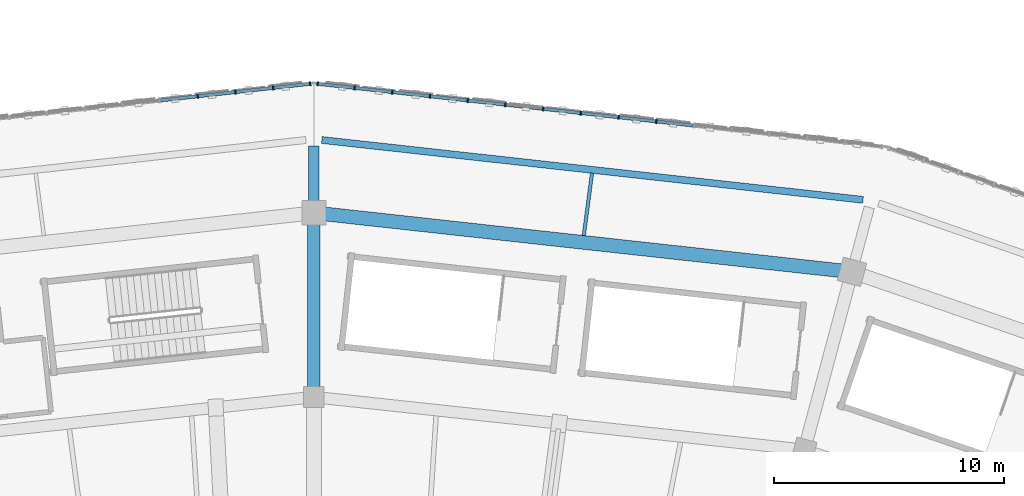
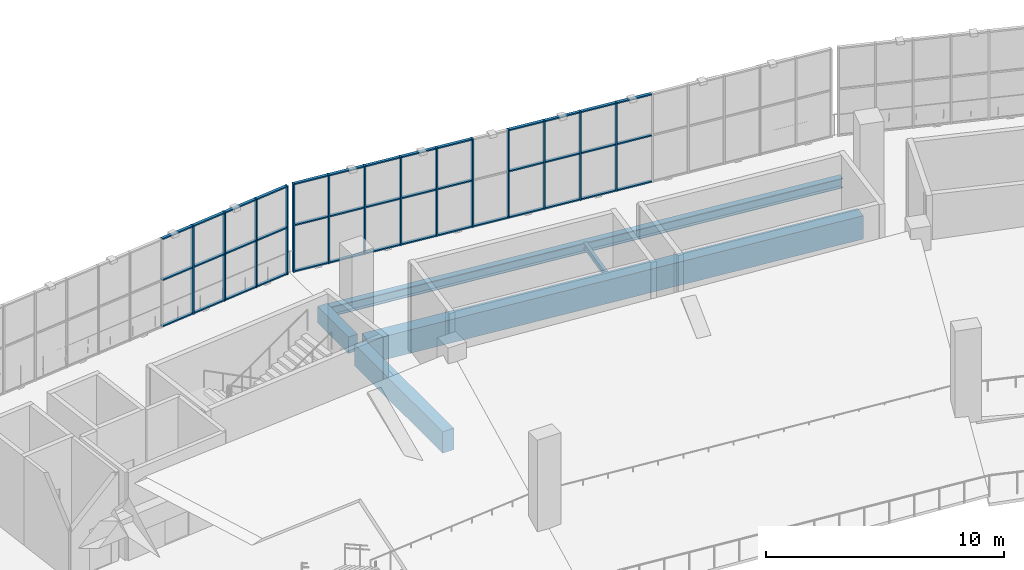
# One storey, part 58 of 152: 54 members, 5 beams, 2 elements without a shape of their own.
"""IFC4 building model written with IfcOpenShell, lengths in metres."""

from ifc_helpers import new_model, si_unit, direction, frame, origin, origin_2d, place, context, subcontext, project, spatial, rectangle, i_section, extrude, material, material_profile, profile_set, type_object, element, aggregate, save


model = new_model("IFC4")

# Units and contexts
model_context = context("Model", 3, precision=1e-05, world=origin(), true_north=direction((0.0, 1.0)))
body_context = subcontext(model_context, "Body", "Model", "MODEL_VIEW")
ifc_project = project(units=[si_unit("LENGTHUNIT", "METRE"), si_unit("AREAUNIT", "SQUARE_METRE"), si_unit("VOLUMEUNIT", "CUBIC_METRE"), si_unit("PLANEANGLEUNIT", "RADIAN"), si_unit("MASSUNIT", "GRAM", prefix="KILO")], contexts=[model_context])

# Site, building, storey
site_placement = place(None, origin())
site = spatial("IfcSite", under=ifc_project, at=site_placement, CompositionType="ELEMENT")
building_placement = place(site_placement, origin())
building = spatial("IfcBuilding", under=site, at=building_placement, Name="Zevraka Park Crest Stadium", CompositionType="ELEMENT")
storey_placement = place(building_placement, frame((0.0, 0.0, 15.0)))
storey = spatial("IfcBuildingStorey", under=building, at=storey_placement, Name="L03", CompositionType="ELEMENT", Elevation=15.0)

# Beams
ifc_material_1 = material(Name="Concrete C40/50", Category="concrete")
ifc_material_profile_1 = material_profile(ifc_material_1, rectangle(XDim=0.550048828125, YDim=1.10009765625, at=origin_2d()), Name="RC 1100x550")
ifc_profile_set_1 = profile_set([ifc_material_profile_1], Name="Concrete C40/50")
beam_type_1 = type_object("IfcBeamType", Name="BG02", PredefinedType="BEAM", material=ifc_profile_set_1)
beam_1_placement = place(storey_placement, frame((112.0, 159.60009765625, -0.56005859375), z_axis=(0.0, 1.0, 0.0), x_axis=(-1.0, 0.0, 0.0)))
element("IfcBeam", 1, at=beam_1_placement, inside=storey, type_object=beam_type_1, Name="Radial Girder BG02 L03-CD-06", PredefinedType="BEAM", context=body_context, shape_type="SweptSolid", body=[
    extrude(rectangle(XDim=0.550048828125, YDim=1.10009765625, at=origin_2d()), origin(), (0.0, 0.0, 1.0), 7.39990234375),
])
ifc_material_2 = material(Name="Concrete C40/50", Category="concrete")
ifc_material_profile_2 = material_profile(ifc_material_2, rectangle(XDim=0.449951171875, YDim=0.85009765625, at=origin_2d()), Name="RC 850x450")
ifc_profile_set_2 = profile_set([ifc_material_profile_2], Name="Concrete C40/50")
beam_type_2 = type_object("IfcBeamType", Name="BG03", PredefinedType="BEAM", material=ifc_profile_set_2)
beam_2_placement = place(storey_placement, frame((112.0, 167.60009765625, -0.43505859375), z_axis=(0.0, 1.0, 0.0), x_axis=(-1.0, 0.0, 0.0)))
element("IfcBeam", 2, at=beam_2_placement, inside=storey, type_object=beam_type_2, Name="Radial Girder BG03 L03-DE-06", PredefinedType="BEAM", context=body_context, shape_type="SweptSolid", body=[
    extrude(rectangle(XDim=0.449951171875, YDim=0.85009765625, at=origin_2d()), origin(), (0.0, 0.0, 1.0), 2.599853515625),
])

# Curtain wall, members
ifc_material_3 = material(Name="Anodised architectural aluminium and laminated safety glass", Category="aluminium")
curtain_wall_type = type_object("IfcCurtainWallType", Name="CW11", PredefinedType="NOTDEFINED", material=ifc_material_3)
curtain_wall_1_placement = place(storey_placement, origin())
curtain_wall_1 = element("IfcCurtainWall", 3, at=curtain_wall_1_placement, inside=storey, type_object=curtain_wall_type, Name="Unitised Ring Curtain Wall CW11 L03-05", PredefinedType="NOTDEFINED")
ifc_material_4 = material(Name="Anodised architectural aluminium", Category="aluminium")
ifc_material_profile_3 = material_profile(ifc_material_4, rectangle(XDim=0.179931640625, YDim=0.06494140625, at=origin_2d()), Name="ALU MULLION 180x65")
ifc_profile_set_3 = profile_set([ifc_material_profile_3], Name="Anodised architectural aluminium")
member_type_1 = type_object("IfcMemberType", Name="CM02", PredefinedType="MULLION", material=ifc_profile_set_3)
member_1_placement = place(storey_placement, frame((126.871337890625, 171.267578125, 0.0), z_axis=(0.0, 0.0, 1.0), x_axis=(-0.110396006373, -0.993887680665, 0.0)))
member_1 = element("IfcMember", 4, at=member_1_placement, type_object=member_type_1, Name="CW11 mullion 7", PredefinedType="MULLION", context=body_context, shape_type="SweptSolid", body=[
    extrude(rectangle(XDim=0.179931640625, YDim=0.06494140625, at=origin_2d()), origin(), (0.0, 0.0, 1.0), 4.5400390625),
])
member_2_placement = place(storey_placement, frame((125.2333984375, 171.449462890625, 0.0), z_axis=(0.0, 0.0, 1.0), x_axis=(-0.110396006373, -0.993887680665, 0.0)))
member_2 = element("IfcMember", 5, at=member_2_placement, type_object=member_type_1, Name="CW11 mullion 8", PredefinedType="MULLION", context=body_context, shape_type="SweptSolid", body=[
    extrude(rectangle(XDim=0.179931640625, YDim=0.06494140625, at=origin_2d()), origin(), (0.0, 0.0, 1.0), 4.5400390625),
])
member_3_placement = place(storey_placement, frame((123.595458984375, 171.63134765625, 0.0), z_axis=(0.0, 0.0, 1.0), x_axis=(-0.110396006373, -0.993887680665, 0.0)))
member_3 = element("IfcMember", 6, at=member_3_placement, type_object=member_type_1, Name="CW11 mullion 9", PredefinedType="MULLION", context=body_context, shape_type="SweptSolid", body=[
    extrude(rectangle(XDim=0.179931640625, YDim=0.06494140625, at=origin_2d()), origin(), (0.0, 0.0, 1.0), 4.5400390625),
])
member_4_placement = place(storey_placement, frame((121.95751953125, 171.8134765625, 0.0), z_axis=(0.0, 0.0, 1.0), x_axis=(-0.110396006373, -0.993887680665, 0.0)))
member_4 = element("IfcMember", 7, at=member_4_placement, type_object=member_type_1, Name="CW11 mullion 10", PredefinedType="MULLION", context=body_context, shape_type="SweptSolid", body=[
    extrude(rectangle(XDim=0.179931640625, YDim=0.06494140625, at=origin_2d()), origin(), (0.0, 0.0, 1.0), 4.5400390625),
])
member_5_placement = place(storey_placement, frame((120.319580078125, 171.995361328125, 0.0), z_axis=(0.0, 0.0, 1.0), x_axis=(-0.110396006373, -0.993887680665, 0.0)))
member_5 = element("IfcMember", 8, at=member_5_placement, type_object=member_type_1, Name="CW11 mullion 11", PredefinedType="MULLION", context=body_context, shape_type="SweptSolid", body=[
    extrude(rectangle(XDim=0.179931640625, YDim=0.06494140625, at=origin_2d()), origin(), (0.0, 0.0, 1.0), 4.5400390625),
])
member_6_placement = place(storey_placement, frame((118.681640625, 172.17724609375, 0.0), z_axis=(0.0, 0.0, 1.0), x_axis=(-0.110396006373, -0.993887680665, 0.0)))
member_6 = element("IfcMember", 9, at=member_6_placement, type_object=member_type_1, Name="CW11 mullion 12", PredefinedType="MULLION", context=body_context, shape_type="SweptSolid", body=[
    extrude(rectangle(XDim=0.179931640625, YDim=0.06494140625, at=origin_2d()), origin(), (0.0, 0.0, 1.0), 4.5400390625),
])
member_7_placement = place(storey_placement, frame((117.043701171875, 172.359130859375, 0.0), z_axis=(0.0, 0.0, 1.0), x_axis=(-0.110396006373, -0.993887680665, 0.0)))
member_7 = element("IfcMember", 10, at=member_7_placement, type_object=member_type_1, Name="CW11 mullion 13", PredefinedType="MULLION", context=body_context, shape_type="SweptSolid", body=[
    extrude(rectangle(XDim=0.179931640625, YDim=0.06494140625, at=origin_2d()), origin(), (0.0, 0.0, 1.0), 4.5400390625),
])
member_8_placement = place(storey_placement, frame((115.40576171875, 172.541015625, 0.0), z_axis=(0.0, 0.0, 1.0), x_axis=(-0.110396006373, -0.993887680665, 0.0)))
member_8 = element("IfcMember", 11, at=member_8_placement, type_object=member_type_1, Name="CW11 mullion 14", PredefinedType="MULLION", context=body_context, shape_type="SweptSolid", body=[
    extrude(rectangle(XDim=0.179931640625, YDim=0.06494140625, at=origin_2d()), origin(), (0.0, 0.0, 1.0), 4.5400390625),
])
member_9_placement = place(storey_placement, frame((113.767822265625, 172.72314453125, 0.0), z_axis=(0.0, 0.0, 1.0), x_axis=(-0.110396006373, -0.993887680665, 0.0)))
member_9 = element("IfcMember", 12, at=member_9_placement, type_object=member_type_1, Name="CW11 mullion 15", PredefinedType="MULLION", context=body_context, shape_type="SweptSolid", body=[
    extrude(rectangle(XDim=0.179931640625, YDim=0.06494140625, at=origin_2d()), origin(), (0.0, 0.0, 1.0), 4.5400390625),
])
member_10_placement = place(storey_placement, frame((112.162353515625, 172.9013671875, 0.0), z_axis=(0.0, 0.0, 1.0), x_axis=(-0.110396006373, -0.993887680665, 0.0)))
member_10 = element("IfcMember", 13, at=member_10_placement, type_object=member_type_1, Name="CW11 mullion 16", PredefinedType="MULLION", context=body_context, shape_type="SweptSolid", body=[
    extrude(rectangle(XDim=0.179931640625, YDim=0.06494140625, at=origin_2d()), origin(), (0.0, 0.0, 1.0), 4.5400390625),
])

curtain_wall_2_placement = place(storey_placement, origin())
curtain_wall_2 = element("IfcCurtainWall", 14, at=curtain_wall_2_placement, inside=storey, type_object=curtain_wall_type, Name="Unitised Ring Curtain Wall CW11 L03-06", PredefinedType="NOTDEFINED")
member_11_placement = place(storey_placement, frame((111.837646484375, 172.9013671875, 0.0), z_axis=(0.0, 0.0, 1.0), x_axis=(0.110396006373, -0.993887680665, 0.0)))
member_11 = element("IfcMember", 15, at=member_11_placement, type_object=member_type_1, Name="CW11 mullion 1", PredefinedType="MULLION", context=body_context, shape_type="SweptSolid", body=[
    extrude(rectangle(XDim=0.179931640625, YDim=0.06494140625, at=origin_2d()), origin(), (0.0, 0.0, 1.0), 4.5400390625),
])
member_12_placement = place(storey_placement, frame((110.232177734375, 172.72314453125, 0.0), z_axis=(0.0, 0.0, 1.0), x_axis=(0.110396006373, -0.993887680665, 0.0)))
member_12 = element("IfcMember", 16, at=member_12_placement, type_object=member_type_1, Name="CW11 mullion 2", PredefinedType="MULLION", context=body_context, shape_type="SweptSolid", body=[
    extrude(rectangle(XDim=0.179931640625, YDim=0.06494140625, at=origin_2d()), origin(), (0.0, 0.0, 1.0), 4.5400390625),
])
member_13_placement = place(storey_placement, frame((108.59423828125, 172.541015625, 0.0), z_axis=(0.0, 0.0, 1.0), x_axis=(0.110396006373, -0.993887680665, 0.0)))
member_13 = element("IfcMember", 17, at=member_13_placement, type_object=member_type_1, Name="CW11 mullion 3", PredefinedType="MULLION", context=body_context, shape_type="SweptSolid", body=[
    extrude(rectangle(XDim=0.179931640625, YDim=0.06494140625, at=origin_2d()), origin(), (0.0, 0.0, 1.0), 4.5400390625),
])
member_14_placement = place(storey_placement, frame((106.956298828125, 172.359130859375, 0.0), z_axis=(0.0, 0.0, 1.0), x_axis=(0.110396006373, -0.993887680665, 0.0)))
member_14 = element("IfcMember", 18, at=member_14_placement, type_object=member_type_1, Name="CW11 mullion 4", PredefinedType="MULLION", context=body_context, shape_type="SweptSolid", body=[
    extrude(rectangle(XDim=0.179931640625, YDim=0.06494140625, at=origin_2d()), origin(), (0.0, 0.0, 1.0), 4.5400390625),
])

# Member
ifc_material_5 = material(Name="Anodised architectural aluminium", Category="aluminium")
ifc_material_profile_4 = material_profile(ifc_material_5, rectangle(XDim=0.139892578125, YDim=0.06494140625, at=origin_2d()), Name="ALU TRANSOM 140x65")
ifc_profile_set_4 = profile_set([ifc_material_profile_4], Name="Anodised architectural aluminium")
member_type_2 = type_object("IfcMemberType", Name="CT02", PredefinedType="USERDEFINED", material=ifc_profile_set_4)
member_15_placement = place(storey_placement, frame((128.47705078125, 171.08935546875, 0.032470703125), z_axis=(-0.993900651403, 0.110279169111, 0.0), x_axis=(-0.110279169111, -0.993900651403, 0.0)))
member_15 = element("IfcMember", 19, at=member_15_placement, type_object=member_type_2, Name="CW11 transom 6.1", ObjectType="TRANSOM", PredefinedType="USERDEFINED", context=body_context, shape_type="SweptSolid", body=[
    extrude(rectangle(XDim=0.139892578125, YDim=0.06494140625, at=origin_2d()), origin(), (0.0, 0.0, 1.0), 1.5830078125),
])

member_16_placement = place(storey_placement, frame((128.47705078125, 171.08935546875, 2.39990234375), z_axis=(-0.993900651403, 0.110279169111, 0.0), x_axis=(-0.110279169111, -0.993900651403, 0.0)))
member_16 = element("IfcMember", 20, at=member_16_placement, type_object=member_type_2, Name="CW11 transom 6.2", ObjectType="TRANSOM", PredefinedType="USERDEFINED", context=body_context, shape_type="SweptSolid", body=[
    extrude(rectangle(XDim=0.139892578125, YDim=0.06494140625, at=origin_2d()), origin(), (0.0, 0.0, 1.0), 1.5830078125),
])

member_17_placement = place(storey_placement, frame((128.47705078125, 171.08935546875, 4.507568359375), z_axis=(-0.993900651403, 0.110279169111, 0.0), x_axis=(-0.110279169111, -0.993900651403, 0.0)))
member_17 = element("IfcMember", 21, at=member_17_placement, type_object=member_type_2, Name="CW11 transom 6.3", ObjectType="TRANSOM", PredefinedType="USERDEFINED", context=body_context, shape_type="SweptSolid", body=[
    extrude(rectangle(XDim=0.139892578125, YDim=0.06494140625, at=origin_2d()), origin(), (0.0, 0.0, 1.0), 1.5830078125),
])

member_18_placement = place(storey_placement, frame((126.839111328125, 171.271240234375, 0.032470703125), z_axis=(-0.993883734674, 0.110431526075, 0.0), x_axis=(-0.110431526075, -0.993883734674, 0.0)))
member_18 = element("IfcMember", 22, at=member_18_placement, type_object=member_type_2, Name="CW11 transom 7.1", ObjectType="TRANSOM", PredefinedType="USERDEFINED", context=body_context, shape_type="SweptSolid", body=[
    extrude(rectangle(XDim=0.139892578125, YDim=0.06494140625, at=origin_2d()), origin(), (0.0, 0.0, 1.0), 1.5830078125),
])

member_19_placement = place(storey_placement, frame((126.839111328125, 171.271240234375, 2.39990234375), z_axis=(-0.993883734674, 0.110431526075, 0.0), x_axis=(-0.110431526075, -0.993883734674, 0.0)))
member_19 = element("IfcMember", 23, at=member_19_placement, type_object=member_type_2, Name="CW11 transom 7.2", ObjectType="TRANSOM", PredefinedType="USERDEFINED", context=body_context, shape_type="SweptSolid", body=[
    extrude(rectangle(XDim=0.139892578125, YDim=0.06494140625, at=origin_2d()), origin(), (0.0, 0.0, 1.0), 1.5830078125),
])

member_20_placement = place(storey_placement, frame((126.839111328125, 171.271240234375, 4.507568359375), z_axis=(-0.993883734674, 0.110431526075, 0.0), x_axis=(-0.110431526075, -0.993883734674, 0.0)))
member_20 = element("IfcMember", 24, at=member_20_placement, type_object=member_type_2, Name="CW11 transom 7.3", ObjectType="TRANSOM", PredefinedType="USERDEFINED", context=body_context, shape_type="SweptSolid", body=[
    extrude(rectangle(XDim=0.139892578125, YDim=0.06494140625, at=origin_2d()), origin(), (0.0, 0.0, 1.0), 1.5830078125),
])

member_21_placement = place(storey_placement, frame((125.201171875, 171.453125, 0.032470703125), z_axis=(-0.993883734674, 0.110431526075, 0.0), x_axis=(-0.110431526075, -0.993883734674, 0.0)))
member_21 = element("IfcMember", 25, at=member_21_placement, type_object=member_type_2, Name="CW11 transom 8.1", ObjectType="TRANSOM", PredefinedType="USERDEFINED", context=body_context, shape_type="SweptSolid", body=[
    extrude(rectangle(XDim=0.139892578125, YDim=0.06494140625, at=origin_2d()), origin(), (0.0, 0.0, 1.0), 1.5830078125),
])

member_22_placement = place(storey_placement, frame((125.201171875, 171.453125, 2.39990234375), z_axis=(-0.993883734674, 0.110431526075, 0.0), x_axis=(-0.110431526075, -0.993883734674, 0.0)))
member_22 = element("IfcMember", 26, at=member_22_placement, type_object=member_type_2, Name="CW11 transom 8.2", ObjectType="TRANSOM", PredefinedType="USERDEFINED", context=body_context, shape_type="SweptSolid", body=[
    extrude(rectangle(XDim=0.139892578125, YDim=0.06494140625, at=origin_2d()), origin(), (0.0, 0.0, 1.0), 1.5830078125),
])

member_23_placement = place(storey_placement, frame((125.201171875, 171.453125, 4.507568359375), z_axis=(-0.993883734674, 0.110431526075, 0.0), x_axis=(-0.110431526075, -0.993883734674, 0.0)))
member_23 = element("IfcMember", 27, at=member_23_placement, type_object=member_type_2, Name="CW11 transom 8.3", ObjectType="TRANSOM", PredefinedType="USERDEFINED", context=body_context, shape_type="SweptSolid", body=[
    extrude(rectangle(XDim=0.139892578125, YDim=0.06494140625, at=origin_2d()), origin(), (0.0, 0.0, 1.0), 1.5830078125),
])

member_24_placement = place(storey_placement, frame((123.563232421875, 171.635009765625, 0.032470703125), z_axis=(-0.993883734674, 0.110431526075, 0.0), x_axis=(-0.110431526075, -0.993883734674, 0.0)))
member_24 = element("IfcMember", 28, at=member_24_placement, type_object=member_type_2, Name="CW11 transom 9.1", ObjectType="TRANSOM", PredefinedType="USERDEFINED", context=body_context, shape_type="SweptSolid", body=[
    extrude(rectangle(XDim=0.139892578125, YDim=0.06494140625, at=origin_2d()), origin(), (0.0, 0.0, 1.0), 1.5830078125),
])

member_25_placement = place(storey_placement, frame((123.563232421875, 171.635009765625, 2.39990234375), z_axis=(-0.993883734674, 0.110431526075, 0.0), x_axis=(-0.110431526075, -0.993883734674, 0.0)))
member_25 = element("IfcMember", 29, at=member_25_placement, type_object=member_type_2, Name="CW11 transom 9.2", ObjectType="TRANSOM", PredefinedType="USERDEFINED", context=body_context, shape_type="SweptSolid", body=[
    extrude(rectangle(XDim=0.139892578125, YDim=0.06494140625, at=origin_2d()), origin(), (0.0, 0.0, 1.0), 1.5830078125),
])

member_26_placement = place(storey_placement, frame((123.563232421875, 171.635009765625, 4.507568359375), z_axis=(-0.993883734674, 0.110431526075, 0.0), x_axis=(-0.110431526075, -0.993883734674, 0.0)))
member_26 = element("IfcMember", 30, at=member_26_placement, type_object=member_type_2, Name="CW11 transom 9.3", ObjectType="TRANSOM", PredefinedType="USERDEFINED", context=body_context, shape_type="SweptSolid", body=[
    extrude(rectangle(XDim=0.139892578125, YDim=0.06494140625, at=origin_2d()), origin(), (0.0, 0.0, 1.0), 1.5830078125),
])

member_27_placement = place(storey_placement, frame((121.92529296875, 171.81689453125, 0.032470703125), z_axis=(-0.993883734674, 0.110431526075, 0.0), x_axis=(-0.110431526075, -0.993883734674, 0.0)))
member_27 = element("IfcMember", 31, at=member_27_placement, type_object=member_type_2, Name="CW11 transom 10.1", ObjectType="TRANSOM", PredefinedType="USERDEFINED", context=body_context, shape_type="SweptSolid", body=[
    extrude(rectangle(XDim=0.139892578125, YDim=0.06494140625, at=origin_2d()), origin(), (0.0, 0.0, 1.0), 1.5830078125),
])

member_28_placement = place(storey_placement, frame((120.287353515625, 171.9990234375, 0.032470703125), z_axis=(-0.993900651403, 0.110279169111, 0.0), x_axis=(-0.110279169111, -0.993900651403, 0.0)))
member_28 = element("IfcMember", 32, at=member_28_placement, type_object=member_type_2, Name="CW11 transom 11.1", ObjectType="TRANSOM", PredefinedType="USERDEFINED", context=body_context, shape_type="SweptSolid", body=[
    extrude(rectangle(XDim=0.139892578125, YDim=0.06494140625, at=origin_2d()), origin(), (0.0, 0.0, 1.0), 1.5830078125),
])

member_29_placement = place(storey_placement, frame((120.287353515625, 171.9990234375, 2.39990234375), z_axis=(-0.993900651403, 0.110279169111, 0.0), x_axis=(-0.110279169111, -0.993900651403, 0.0)))
member_29 = element("IfcMember", 33, at=member_29_placement, type_object=member_type_2, Name="CW11 transom 11.2", ObjectType="TRANSOM", PredefinedType="USERDEFINED", context=body_context, shape_type="SweptSolid", body=[
    extrude(rectangle(XDim=0.139892578125, YDim=0.06494140625, at=origin_2d()), origin(), (0.0, 0.0, 1.0), 1.5830078125),
])

member_30_placement = place(storey_placement, frame((120.287353515625, 171.9990234375, 4.507568359375), z_axis=(-0.993900651403, 0.110279169111, 0.0), x_axis=(-0.110279169111, -0.993900651403, 0.0)))
member_30 = element("IfcMember", 34, at=member_30_placement, type_object=member_type_2, Name="CW11 transom 11.3", ObjectType="TRANSOM", PredefinedType="USERDEFINED", context=body_context, shape_type="SweptSolid", body=[
    extrude(rectangle(XDim=0.139892578125, YDim=0.06494140625, at=origin_2d()), origin(), (0.0, 0.0, 1.0), 1.5830078125),
])

member_31_placement = place(storey_placement, frame((118.6494140625, 172.180908203125, 0.032470703125), z_axis=(-0.993883734674, 0.110431526075, 0.0), x_axis=(-0.110431526075, -0.993883734674, 0.0)))
member_31 = element("IfcMember", 35, at=member_31_placement, type_object=member_type_2, Name="CW11 transom 12.1", ObjectType="TRANSOM", PredefinedType="USERDEFINED", context=body_context, shape_type="SweptSolid", body=[
    extrude(rectangle(XDim=0.139892578125, YDim=0.06494140625, at=origin_2d()), origin(), (0.0, 0.0, 1.0), 1.5830078125),
])

member_32_placement = place(storey_placement, frame((118.6494140625, 172.180908203125, 2.39990234375), z_axis=(-0.993883734674, 0.110431526075, 0.0), x_axis=(-0.110431526075, -0.993883734674, 0.0)))
member_32 = element("IfcMember", 36, at=member_32_placement, type_object=member_type_2, Name="CW11 transom 12.2", ObjectType="TRANSOM", PredefinedType="USERDEFINED", context=body_context, shape_type="SweptSolid", body=[
    extrude(rectangle(XDim=0.139892578125, YDim=0.06494140625, at=origin_2d()), origin(), (0.0, 0.0, 1.0), 1.5830078125),
])

member_33_placement = place(storey_placement, frame((118.6494140625, 172.180908203125, 4.507568359375), z_axis=(-0.993883734674, 0.110431526075, 0.0), x_axis=(-0.110431526075, -0.993883734674, 0.0)))
member_33 = element("IfcMember", 37, at=member_33_placement, type_object=member_type_2, Name="CW11 transom 12.3", ObjectType="TRANSOM", PredefinedType="USERDEFINED", context=body_context, shape_type="SweptSolid", body=[
    extrude(rectangle(XDim=0.139892578125, YDim=0.06494140625, at=origin_2d()), origin(), (0.0, 0.0, 1.0), 1.5830078125),
])

member_34_placement = place(storey_placement, frame((117.011474609375, 172.36279296875, 0.032470703125), z_axis=(-0.993883734674, 0.110431526075, 0.0), x_axis=(-0.110431526075, -0.993883734674, 0.0)))
member_34 = element("IfcMember", 38, at=member_34_placement, type_object=member_type_2, Name="CW11 transom 13.1", ObjectType="TRANSOM", PredefinedType="USERDEFINED", context=body_context, shape_type="SweptSolid", body=[
    extrude(rectangle(XDim=0.139892578125, YDim=0.06494140625, at=origin_2d()), origin(), (0.0, 0.0, 1.0), 1.5830078125),
])

member_35_placement = place(storey_placement, frame((117.011474609375, 172.36279296875, 2.39990234375), z_axis=(-0.993883734674, 0.110431526075, 0.0), x_axis=(-0.110431526075, -0.993883734674, 0.0)))
member_35 = element("IfcMember", 39, at=member_35_placement, type_object=member_type_2, Name="CW11 transom 13.2", ObjectType="TRANSOM", PredefinedType="USERDEFINED", context=body_context, shape_type="SweptSolid", body=[
    extrude(rectangle(XDim=0.139892578125, YDim=0.06494140625, at=origin_2d()), origin(), (0.0, 0.0, 1.0), 1.5830078125),
])

member_36_placement = place(storey_placement, frame((117.011474609375, 172.36279296875, 4.507568359375), z_axis=(-0.993883734674, 0.110431526075, 0.0), x_axis=(-0.110431526075, -0.993883734674, 0.0)))
member_36 = element("IfcMember", 40, at=member_36_placement, type_object=member_type_2, Name="CW11 transom 13.3", ObjectType="TRANSOM", PredefinedType="USERDEFINED", context=body_context, shape_type="SweptSolid", body=[
    extrude(rectangle(XDim=0.139892578125, YDim=0.06494140625, at=origin_2d()), origin(), (0.0, 0.0, 1.0), 1.5830078125),
])

member_37_placement = place(storey_placement, frame((115.37353515625, 172.544677734375, 0.032470703125), z_axis=(-0.993883734674, 0.110431526075, 0.0), x_axis=(-0.110431526075, -0.993883734674, 0.0)))
member_37 = element("IfcMember", 41, at=member_37_placement, type_object=member_type_2, Name="CW11 transom 14.1", ObjectType="TRANSOM", PredefinedType="USERDEFINED", context=body_context, shape_type="SweptSolid", body=[
    extrude(rectangle(XDim=0.139892578125, YDim=0.06494140625, at=origin_2d()), origin(), (0.0, 0.0, 1.0), 1.5830078125),
])

member_38_placement = place(storey_placement, frame((115.37353515625, 172.544677734375, 2.39990234375), z_axis=(-0.993883734674, 0.110431526075, 0.0), x_axis=(-0.110431526075, -0.993883734674, 0.0)))
member_38 = element("IfcMember", 42, at=member_38_placement, type_object=member_type_2, Name="CW11 transom 14.2", ObjectType="TRANSOM", PredefinedType="USERDEFINED", context=body_context, shape_type="SweptSolid", body=[
    extrude(rectangle(XDim=0.139892578125, YDim=0.06494140625, at=origin_2d()), origin(), (0.0, 0.0, 1.0), 1.5830078125),
])

member_39_placement = place(storey_placement, frame((115.37353515625, 172.544677734375, 4.507568359375), z_axis=(-0.993883734674, 0.110431526075, 0.0), x_axis=(-0.110431526075, -0.993883734674, 0.0)))
member_39 = element("IfcMember", 43, at=member_39_placement, type_object=member_type_2, Name="CW11 transom 14.3", ObjectType="TRANSOM", PredefinedType="USERDEFINED", context=body_context, shape_type="SweptSolid", body=[
    extrude(rectangle(XDim=0.139892578125, YDim=0.06494140625, at=origin_2d()), origin(), (0.0, 0.0, 1.0), 1.5830078125),
])

member_40_placement = place(storey_placement, frame((113.735595703125, 172.7265625, 0.032470703125), z_axis=(-0.993889494064, 0.110379679236, 0.0), x_axis=(-0.110379679236, -0.993889494064, 0.0)))
member_40 = element("IfcMember", 44, at=member_40_placement, type_object=member_type_2, Name="CW11 transom 15.1", ObjectType="TRANSOM", PredefinedType="USERDEFINED", context=body_context, shape_type="SweptSolid", body=[
    extrude(rectangle(XDim=0.139892578125, YDim=0.06494140625, at=origin_2d()), origin(), (0.0, 0.0, 1.0), 1.550537109375),
])

member_41_placement = place(storey_placement, frame((113.735595703125, 172.7265625, 2.39990234375), z_axis=(-0.993889494064, 0.110379679236, 0.0), x_axis=(-0.110379679236, -0.993889494064, 0.0)))
member_41 = element("IfcMember", 45, at=member_41_placement, type_object=member_type_2, Name="CW11 transom 15.2", ObjectType="TRANSOM", PredefinedType="USERDEFINED", context=body_context, shape_type="SweptSolid", body=[
    extrude(rectangle(XDim=0.139892578125, YDim=0.06494140625, at=origin_2d()), origin(), (0.0, 0.0, 1.0), 1.550537109375),
])

member_42_placement = place(storey_placement, frame((113.735595703125, 172.7265625, 4.507568359375), z_axis=(-0.993889494064, 0.110379679236, 0.0), x_axis=(-0.110379679236, -0.993889494064, 0.0)))
member_42 = element("IfcMember", 46, at=member_42_placement, type_object=member_type_2, Name="CW11 transom 15.3", ObjectType="TRANSOM", PredefinedType="USERDEFINED", context=body_context, shape_type="SweptSolid", body=[
    extrude(rectangle(XDim=0.139892578125, YDim=0.06494140625, at=origin_2d()), origin(), (0.0, 0.0, 1.0), 1.550537109375),
])

aggregate(curtain_wall_1, [member_1, member_2, member_3, member_4, member_5, member_6, member_7, member_8, member_9, member_10, member_15, member_16, member_17, member_18, member_19, member_20, member_21, member_22, member_23, member_24, member_25, member_26, member_27, member_28, member_29, member_30, member_31, member_32, member_33, member_34, member_35, member_36, member_37, member_38, member_39, member_40, member_41, member_42])

member_43_placement = place(storey_placement, frame((111.805419921875, 172.897705078125, 0.032470703125), z_axis=(-0.993889494064, -0.110379679236, 0.0), x_axis=(0.110379679236, -0.993889494064, 0.0)))
member_43 = element("IfcMember", 47, at=member_43_placement, type_object=member_type_2, Name="CW11 transom 1.1", ObjectType="TRANSOM", PredefinedType="USERDEFINED", context=body_context, shape_type="SweptSolid", body=[
    extrude(rectangle(XDim=0.139892578125, YDim=0.06494140625, at=origin_2d()), origin(), (0.0, 0.0, 1.0), 1.550537109375),
])

member_44_placement = place(storey_placement, frame((111.805419921875, 172.897705078125, 2.39990234375), z_axis=(-0.993889494064, -0.110379679236, 0.0), x_axis=(0.110379679236, -0.993889494064, 0.0)))
member_44 = element("IfcMember", 48, at=member_44_placement, type_object=member_type_2, Name="CW11 transom 1.2", ObjectType="TRANSOM", PredefinedType="USERDEFINED", context=body_context, shape_type="SweptSolid", body=[
    extrude(rectangle(XDim=0.139892578125, YDim=0.06494140625, at=origin_2d()), origin(), (0.0, 0.0, 1.0), 1.550537109375),
])

member_45_placement = place(storey_placement, frame((111.805419921875, 172.897705078125, 4.507568359375), z_axis=(-0.993889494064, -0.110379679236, 0.0), x_axis=(0.110379679236, -0.993889494064, 0.0)))
member_45 = element("IfcMember", 49, at=member_45_placement, type_object=member_type_2, Name="CW11 transom 1.3", ObjectType="TRANSOM", PredefinedType="USERDEFINED", context=body_context, shape_type="SweptSolid", body=[
    extrude(rectangle(XDim=0.139892578125, YDim=0.06494140625, at=origin_2d()), origin(), (0.0, 0.0, 1.0), 1.550537109375),
])

member_46_placement = place(storey_placement, frame((110.19970703125, 172.719482421875, 0.032470703125), z_axis=(-0.993883734674, -0.110431526075, 0.0), x_axis=(0.110431526075, -0.993883734674, 0.0)))
member_46 = element("IfcMember", 50, at=member_46_placement, type_object=member_type_2, Name="CW11 transom 2.1", ObjectType="TRANSOM", PredefinedType="USERDEFINED", context=body_context, shape_type="SweptSolid", body=[
    extrude(rectangle(XDim=0.139892578125, YDim=0.06494140625, at=origin_2d()), origin(), (0.0, 0.0, 1.0), 1.5830078125),
])

member_47_placement = place(storey_placement, frame((110.19970703125, 172.719482421875, 2.39990234375), z_axis=(-0.993883734674, -0.110431526075, 0.0), x_axis=(0.110431526075, -0.993883734674, 0.0)))
member_47 = element("IfcMember", 51, at=member_47_placement, type_object=member_type_2, Name="CW11 transom 2.2", ObjectType="TRANSOM", PredefinedType="USERDEFINED", context=body_context, shape_type="SweptSolid", body=[
    extrude(rectangle(XDim=0.139892578125, YDim=0.06494140625, at=origin_2d()), origin(), (0.0, 0.0, 1.0), 1.5830078125),
])

member_48_placement = place(storey_placement, frame((110.19970703125, 172.719482421875, 4.507568359375), z_axis=(-0.993883734674, -0.110431526075, 0.0), x_axis=(0.110431526075, -0.993883734674, 0.0)))
member_48 = element("IfcMember", 52, at=member_48_placement, type_object=member_type_2, Name="CW11 transom 2.3", ObjectType="TRANSOM", PredefinedType="USERDEFINED", context=body_context, shape_type="SweptSolid", body=[
    extrude(rectangle(XDim=0.139892578125, YDim=0.06494140625, at=origin_2d()), origin(), (0.0, 0.0, 1.0), 1.5830078125),
])

member_49_placement = place(storey_placement, frame((108.561767578125, 172.53759765625, 0.032470703125), z_axis=(-0.993883734674, -0.110431526075, 0.0), x_axis=(0.110431526075, -0.993883734674, 0.0)))
member_49 = element("IfcMember", 53, at=member_49_placement, type_object=member_type_2, Name="CW11 transom 3.1", ObjectType="TRANSOM", PredefinedType="USERDEFINED", context=body_context, shape_type="SweptSolid", body=[
    extrude(rectangle(XDim=0.139892578125, YDim=0.06494140625, at=origin_2d()), origin(), (0.0, 0.0, 1.0), 1.5830078125),
])

member_50_placement = place(storey_placement, frame((108.561767578125, 172.53759765625, 2.39990234375), z_axis=(-0.993883734674, -0.110431526075, 0.0), x_axis=(0.110431526075, -0.993883734674, 0.0)))
member_50 = element("IfcMember", 54, at=member_50_placement, type_object=member_type_2, Name="CW11 transom 3.2", ObjectType="TRANSOM", PredefinedType="USERDEFINED", context=body_context, shape_type="SweptSolid", body=[
    extrude(rectangle(XDim=0.139892578125, YDim=0.06494140625, at=origin_2d()), origin(), (0.0, 0.0, 1.0), 1.5830078125),
])

member_51_placement = place(storey_placement, frame((108.561767578125, 172.53759765625, 4.507568359375), z_axis=(-0.993883734674, -0.110431526075, 0.0), x_axis=(0.110431526075, -0.993883734674, 0.0)))
member_51 = element("IfcMember", 55, at=member_51_placement, type_object=member_type_2, Name="CW11 transom 3.3", ObjectType="TRANSOM", PredefinedType="USERDEFINED", context=body_context, shape_type="SweptSolid", body=[
    extrude(rectangle(XDim=0.139892578125, YDim=0.06494140625, at=origin_2d()), origin(), (0.0, 0.0, 1.0), 1.5830078125),
])

member_52_placement = place(storey_placement, frame((106.923828125, 172.355712890625, 0.032470703125), z_axis=(-0.993883734674, -0.110431526075, 0.0), x_axis=(0.110431526075, -0.993883734674, 0.0)))
member_52 = element("IfcMember", 56, at=member_52_placement, type_object=member_type_2, Name="CW11 transom 4.1", ObjectType="TRANSOM", PredefinedType="USERDEFINED", context=body_context, shape_type="SweptSolid", body=[
    extrude(rectangle(XDim=0.139892578125, YDim=0.06494140625, at=origin_2d()), origin(), (0.0, 0.0, 1.0), 1.5830078125),
])

member_53_placement = place(storey_placement, frame((106.923828125, 172.355712890625, 2.39990234375), z_axis=(-0.993883734674, -0.110431526075, 0.0), x_axis=(0.110431526075, -0.993883734674, 0.0)))
member_53 = element("IfcMember", 57, at=member_53_placement, type_object=member_type_2, Name="CW11 transom 4.2", ObjectType="TRANSOM", PredefinedType="USERDEFINED", context=body_context, shape_type="SweptSolid", body=[
    extrude(rectangle(XDim=0.139892578125, YDim=0.06494140625, at=origin_2d()), origin(), (0.0, 0.0, 1.0), 1.5830078125),
])

member_54_placement = place(storey_placement, frame((106.923828125, 172.355712890625, 4.507568359375), z_axis=(-0.993883734674, -0.110431526075, 0.0), x_axis=(0.110431526075, -0.993883734674, 0.0)))
member_54 = element("IfcMember", 58, at=member_54_placement, type_object=member_type_2, Name="CW11 transom 4.3", ObjectType="TRANSOM", PredefinedType="USERDEFINED", context=body_context, shape_type="SweptSolid", body=[
    extrude(rectangle(XDim=0.139892578125, YDim=0.06494140625, at=origin_2d()), origin(), (0.0, 0.0, 1.0), 1.5830078125),
])

aggregate(curtain_wall_2, [member_11, member_12, member_13, member_14, member_43, member_44, member_45, member_46, member_47, member_48, member_49, member_50, member_51, member_52, member_53, member_54])

# Beams
ifc_material_6 = material(Name="Concrete C40/50", Category="concrete")
ifc_material_profile_5 = material_profile(ifc_material_6, rectangle(XDim=0.60009765625, YDim=1.199951171875, at=origin_2d()), Name="RC 1200x600")
ifc_profile_set_5 = profile_set([ifc_material_profile_5], Name="Concrete C40/50")
beam_type_3 = type_object("IfcBeamType", Name="RB01", PredefinedType="BEAM", material=ifc_profile_set_5)
beam_3_placement = place(storey_placement, frame((134.992919921875, 164.77490234375, -0.610107421875), z_axis=(-0.994021150509, 0.109187693174, 0.0), x_axis=(-0.109187693174, -0.994021150509, 0.0)))
element("IfcBeam", 59, at=beam_3_placement, inside=storey, type_object=beam_type_3, Name="Ring Beam RB01 L03-D-05", PredefinedType="BEAM", context=body_context, shape_type="SweptSolid", body=[
    extrude(rectangle(XDim=0.60009765625, YDim=1.199951171875, at=origin_2d()), origin(), (0.0, 0.0, 1.0), 22.7509765625),
])
ifc_material_7 = material(Name="Steel S355", Category="steel")
ifc_material_profile_6 = material_profile(ifc_material_7, i_section(OverallWidth=0.300048828125, OverallDepth=0.5, WebThickness=0.014404296875, FlangeThickness=0.028076171875, at=origin_2d()), Name="HEB 500")
ifc_profile_set_6 = profile_set([ifc_material_profile_6], Name="Steel S355")
beam_type_4 = type_object("IfcBeamType", Name="RB05", PredefinedType="BEAM", material=ifc_profile_set_6)
beam_4_placement = place(storey_placement, frame((135.85205078125, 167.863037109375, -0.60498046875), z_axis=(-0.993942516724, 0.109901198576, 0.0), x_axis=(-0.109901198576, -0.993942516724, 0.0)))
element("IfcBeam", 60, at=beam_4_placement, inside=storey, type_object=beam_type_4, Name="Ring Beam RB05 L03-E-05", PredefinedType="BEAM", context=body_context, shape_type="SweptSolid", body=[
    extrude(i_section(OverallWidth=0.300048828125, OverallDepth=0.5, WebThickness=0.014404296875, FlangeThickness=0.028076171875, at=origin_2d()), origin(), (0.0, 0.0, 1.0), 23.6474609375),
])
ifc_material_8 = material(Name="Steel S355", Category="steel")
ifc_material_profile_7 = material_profile(ifc_material_8, i_section(OverallWidth=0.14990234375, OverallDepth=0.300048828125, WebThickness=0.007080078125, FlangeThickness=0.0107421875, at=origin_2d()), Name="IPE 300")
ifc_profile_set_7 = profile_set([ifc_material_profile_7], Name="Steel S355")
beam_type_5 = type_object("IfcBeamType", Name="SJ01", PredefinedType="JOIST", material=ifc_profile_set_7)
beam_5_placement = place(storey_placement, frame((123.72412109375, 166.30908203125, -0.4580078125), z_axis=(0.13058389889, 0.991437262438, 0.0), x_axis=(-0.991437262438, 0.13058389889, 0.0)))
element("IfcBeam", 61, at=beam_5_placement, inside=storey, type_object=beam_type_5, Name="Floor Joist SJ01 L03-DE-05-1", PredefinedType="JOIST", context=body_context, shape_type="SweptSolid", body=[
    extrude(i_section(OverallWidth=0.14990234375, OverallDepth=0.300048828125, WebThickness=0.007080078125, FlangeThickness=0.0107421875, at=origin_2d()), origin(), (0.0, 0.0, 1.0), 2.7333984375),
])

save(model, "model.ifc")
